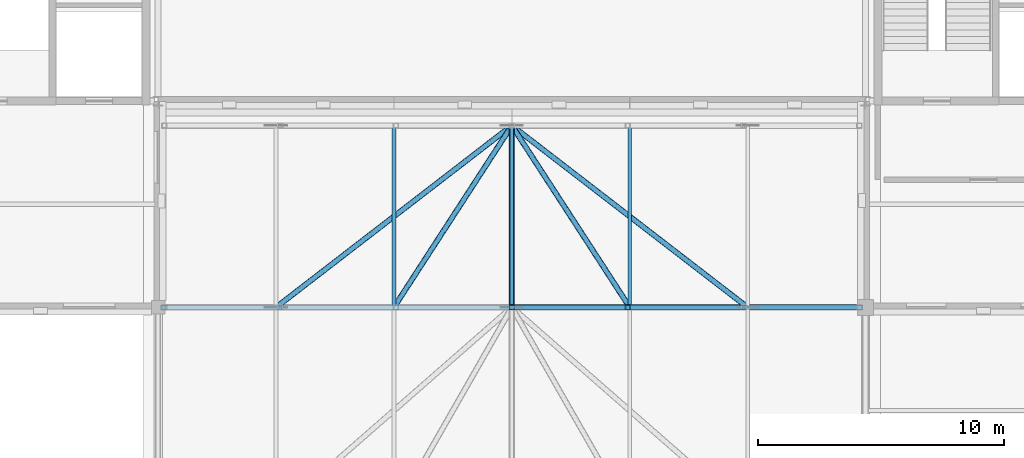
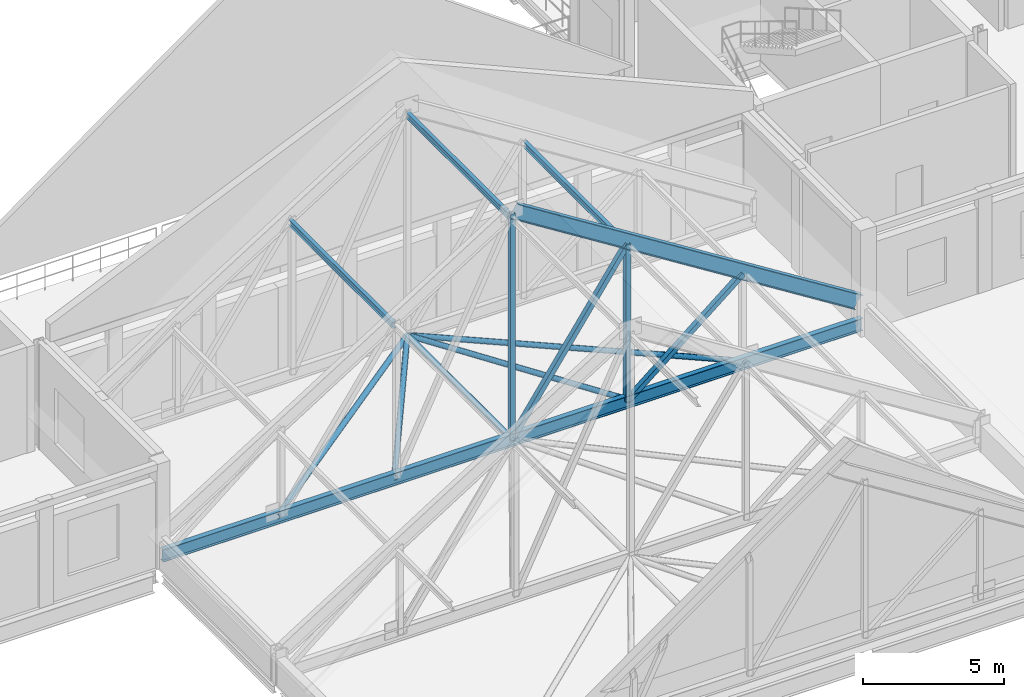
# One storey, part 7 of 26: 9 members, 5 beams.
"""IFC4 building model written with IfcOpenShell, lengths in metres."""

import ifcopenshell
import ifcopenshell.guid

model = None  # the IFC model being written
_history = None  # IfcOwnerHistory: only IFC2X3 demands one
_inside = {}  # id of a spatial element -> (the spatial element, [elements in it])
_under = {}  # id of a project, library or spatial element -> (it, [spatial elements below it])
_declared = {}  # id of a project -> (the project, [libraries it declares])
_typed = {}  # id of a type object -> (the type object, [elements of that type])
_made_of = {}  # id of a material, layer set ... -> (it, [elements and type objects made of it])


def new_model(schema):
    """Start an empty IFC model of exactly this schema.

    Asked for "IFC4X3", IfcOpenShell would pick the latest addendum, in which some entities
    have other attributes; the version numbers below select the first issue.
    IFC2X3 requires an IfcOwnerHistory on every rooted entity: one is made here for all.
    """
    global model, _history
    if schema == "IFC4X3":
        model = ifcopenshell.file(schema_version=(4, 3, 0, 0))
    else:
        model = ifcopenshell.file(schema=schema)
    _inside.clear()
    _under.clear()
    _declared.clear()
    _typed.clear()
    _made_of.clear()
    _history = None
    if model.schema == "IFC2X3":
        org = make("IfcOrganization", Name="unknown")
        user = make(
            "IfcPersonAndOrganization",
            ThePerson=make("IfcPerson", FamilyName="unknown"),
            TheOrganization=org,
        )
        app = make(
            "IfcApplication",
            ApplicationDeveloper=org,
            Version="unknown",
            ApplicationFullName="unknown",
            ApplicationIdentifier="unknown",
        )
        _history = make(
            "IfcOwnerHistory",
            OwningUser=user,
            OwningApplication=app,
            ChangeAction="ADDED",
            CreationDate=0,
        )
    return model


def make(cls, **values):
    """One entity of the class cls with the attributes given. An attribute that is None is left unset."""
    return model.create_entity(
        cls, **{name: value for name, value in values.items() if value is not None}
    )


def rooted(cls, **values):
    """An entity with a GlobalId (a new one), such as an element, a storey or a relation."""
    return make(cls, GlobalId=ifcopenshell.guid.new(), OwnerHistory=_history, **values)


def si_unit(unit_type, name, prefix=None):
    """IfcSIUnit, for example si_unit("LENGTHUNIT", "METRE", prefix="MILLI")."""
    return make("IfcSIUnit", UnitType=unit_type, Prefix=prefix, Name=name)


def assignment(units):
    """IfcUnitAssignment: the units of a project."""
    return None if units is None else make("IfcUnitAssignment", Units=units)


def point(xyz):
    """IfcCartesianPoint."""
    return None if xyz is None else make("IfcCartesianPoint", Coordinates=xyz)


def direction(xyz):
    """IfcDirection."""
    return None if xyz is None else make("IfcDirection", DirectionRatios=xyz)


def frame(location, z_axis=None, x_axis=None):
    """IfcAxis2Placement3D, a coordinate frame: its origin and axes. An axis left out is left unset."""
    return make(
        "IfcAxis2Placement3D",
        Location=point(location),
        Axis=direction(z_axis),
        RefDirection=direction(x_axis),
    )


def frame_2d(location, x_axis=None):
    """IfcAxis2Placement2D, a coordinate frame in the plane: its origin and x axis."""
    return make(
        "IfcAxis2Placement2D", Location=point(location), RefDirection=direction(x_axis)
    )


def origin():
    """The frame at (0, 0, 0) with its axes left unset."""
    return frame((0.0, 0.0, 0.0))


def origin_2d():
    """The frame at (0, 0) in the plane with its x axis left unset."""
    return frame_2d((0.0, 0.0))


def place(relative_to, where):
    """IfcLocalPlacement: puts the frame where relative to a parent placement (None: the world)."""
    return make(
        "IfcLocalPlacement", PlacementRelTo=relative_to, RelativePlacement=where
    )


def context(
    kind, dimensions, precision=None, world=None, true_north=None, identifier=None
):
    """IfcGeometricRepresentationContext, for example the 3D "Model" context."""
    return make(
        "IfcGeometricRepresentationContext",
        ContextIdentifier=identifier,
        ContextType=kind,
        CoordinateSpaceDimension=dimensions,
        Precision=precision,
        WorldCoordinateSystem=world,
        TrueNorth=true_north,
    )


def subcontext(parent, identifier, kind, view, scale=None):
    """IfcGeometricRepresentationSubContext, for example "Body" below "Model"."""
    return make(
        "IfcGeometricRepresentationSubContext",
        ContextIdentifier=identifier,
        ContextType=kind,
        ParentContext=parent,
        TargetScale=scale,
        TargetView=view,
    )


def project(units=None, contexts=None):
    """IfcProject with its units and contexts."""
    return rooted(
        "IfcProject",
        Name="project",
        RepresentationContexts=contexts,
        UnitsInContext=assignment(units),
    )


def spatial(cls, under=None, at=None, **own):
    """A site, building, storey or space (cls), placed at a placement, below another one or the project."""
    s = rooted(cls, ObjectPlacement=at, **own)
    if under is not None:
        _under.setdefault(under.id(), (under, []))[1].append(s)
    return s


def profile(cls, at=None, kind="AREA", **sizes):
    """A parametric profile (cls). Its sizes go by their IFC names, for example OverallWidth=200.0."""
    return make(cls, ProfileType=kind, Position=at, **sizes)


def hollow_rectangle(**sizes):
    """IfcRectangleHollowProfileDef."""
    return profile("IfcRectangleHollowProfileDef", **sizes)


def hollow_circle(**sizes):
    """IfcCircleHollowProfileDef."""
    return profile("IfcCircleHollowProfileDef", **sizes)


def i_section(**sizes):
    """IfcIShapeProfileDef."""
    return profile("IfcIShapeProfileDef", **sizes)


def extrude(swept, where, along, depth):
    """IfcExtrudedAreaSolid: the profile swept, set in the frame where, extruded along a direction by depth."""
    return make(
        "IfcExtrudedAreaSolid",
        SweptArea=swept,
        Position=where,
        ExtrudedDirection=direction(along),
        Depth=depth,
    )


def shape(context_of_items, identifier, shape_type, items):
    """IfcShapeRepresentation: the items that make up one representation, for example the "Body"."""
    return make(
        "IfcShapeRepresentation",
        ContextOfItems=context_of_items,
        RepresentationIdentifier=identifier,
        RepresentationType=shape_type,
        Items=items,
    )


def material(Name=None, Category=None):
    """IfcMaterial."""
    return make("IfcMaterial", Name=Name, Category=Category)


def material_profile(
    of_material, cross_section, Name=None, Category=None, Priority=None
):
    """IfcMaterialProfile: a cross section and its material."""
    return make(
        "IfcMaterialProfile",
        Name=Name,
        Material=of_material,
        Profile=cross_section,
        Priority=Priority,
        Category=Category,
    )


def profile_set(profiles, Name=None, composite=None):
    """IfcMaterialProfileSet."""
    return make(
        "IfcMaterialProfileSet",
        Name=Name,
        MaterialProfiles=profiles,
        CompositeProfile=composite,
    )


def made_of(thing, what):
    """Note that an element or type object is made of a material, layer set ...; save() writes the relation."""
    if what is not None:
        _made_of.setdefault(what.id(), (what, []))[1].append(thing)
    return thing


def type_object(cls, material=None, **own):
    """A type object (cls), such as IfcWallType, which elements share."""
    return made_of(rooted(cls, **own), material)


def element(
    cls,
    number,
    at=None,
    inside=None,
    cuts=None,
    type_object=None,
    material=None,
    context=None,
    identifier="Body",
    shape_type=None,
    held_by="IfcProductDefinitionShape",
    body=None,
    shapes=None,
    **own,
):
    """One element of the class cls, such as IfcWall. Its Tag is "e" and its number.

    at: its placement. inside: the storey or other place that contains it. cuts: it is an
    opening in that element (IfcRelVoidsElement). A single representation is given by context,
    identifier, shape_type and body (its items); several are given by shapes. held_by: the class
    of the entity that holds the representations. save() writes the other relations.
    """
    e = rooted(cls, Tag="e%d" % number, ObjectPlacement=at, **own)
    if body is not None:
        shapes = [shape(context, identifier, shape_type, body)]
    if shapes is not None:
        e.Representation = make(held_by, Representations=shapes)
    if inside is not None:
        _inside.setdefault(inside.id(), (inside, []))[1].append(e)
    if cuts is not None:
        rooted(
            "IfcRelVoidsElement", RelatingBuildingElement=cuts, RelatedOpeningElement=e
        )
    if type_object is not None:
        _typed.setdefault(type_object.id(), (type_object, []))[1].append(e)
    return made_of(e, material)


def aggregate(whole, parts):
    """IfcRelAggregates: a whole, such as a stair, and the parts it consists of."""
    return rooted("IfcRelAggregates", RelatingObject=whole, RelatedObjects=parts)


def save(model, path):
    """Write the relations noted so far, then the file.

    IfcRelAggregates (storeys below a building ...), IfcRelContainedInSpatialStructure (elements
    in a storey), IfcRelDefinesByType, IfcRelAssociatesMaterial and IfcRelDeclares: one each for
    every whole, place, type object, material and project.
    """
    for whole, parts in _under.values():
        aggregate(whole, parts)
    for where, things in _inside.values():
        rooted(
            "IfcRelContainedInSpatialStructure",
            RelatedElements=things,
            RelatingStructure=where,
        )
    for kind, things in _typed.values():
        rooted("IfcRelDefinesByType", RelatedObjects=things, RelatingType=kind)
    for what, things in _made_of.values():
        rooted("IfcRelAssociatesMaterial", RelatedObjects=things, RelatingMaterial=what)
    for by, libraries in _declared.values():
        rooted("IfcRelDeclares", RelatingContext=by, RelatedDefinitions=libraries)
    model.write(path)


model = new_model("IFC4")

# Units and contexts
model_context = context("Model", 3, precision=1e-05, world=origin(), true_north=direction((0.0, 1.0)))
body_context = subcontext(model_context, "Body", "Model", "MODEL_VIEW")
ifc_project = project(units=[si_unit("LENGTHUNIT", "METRE"), si_unit("AREAUNIT", "SQUARE_METRE"), si_unit("VOLUMEUNIT", "CUBIC_METRE"), si_unit("PLANEANGLEUNIT", "RADIAN"), si_unit("MASSUNIT", "GRAM", prefix="KILO")], contexts=[model_context])

# Site, building, storey
site_placement = place(None, origin())
site = spatial("IfcSite", under=ifc_project, at=site_placement, CompositionType="ELEMENT")
building_placement = place(site_placement, origin())
building = spatial("IfcBuilding", under=site, at=building_placement, Name="Lornevale Opera House", CompositionType="ELEMENT")
storey_placement = place(building_placement, frame((0.0, 0.0, 19.800048828125)))
storey = spatial("IfcBuildingStorey", under=building, at=storey_placement, Name="L05", CompositionType="ELEMENT", Elevation=19.800048828125)

# Beams
ifc_material = material(Name="Structural Steel CSA G40.21 Grade 350W (350 MPa)", Category="steel")
ifc_material_profile_1 = material_profile(ifc_material, i_section(OverallWidth=0.2099609375, OverallDepth=0.537109375, WebThickness=0.010986328125, FlangeThickness=0.017333984375, at=origin_2d()), Name="W530x101")
ifc_profile_set_1 = profile_set([ifc_material_profile_1], Name="Structural Steel CSA G40.21 Grade 350W (350 MPa)")
beam_type_1 = type_object("IfcBeamType", Name="Auditorium Truss Bottom Chord W530x101", PredefinedType="BEAM", material=ifc_profile_set_1)
beam_1_placement = place(storey_placement, frame((67.300048828125, 50.39990234375, 0.349853515625), z_axis=(1.0, 0.0, 0.0), x_axis=(0.0, 1.0, 0.0)))
element("IfcBeam", 1, at=beam_1_placement, inside=storey, type_object=beam_type_1, Name="Auditorium Truss Bottom Chord W530x101 2963", PredefinedType="BEAM", context=body_context, shape_type="SweptSolid", body=[
    extrude(i_section(OverallWidth=0.2099609375, OverallDepth=0.537109375, WebThickness=0.010986328125, FlangeThickness=0.017333984375, at=origin_2d()), origin(), (0.0, 0.0, 1.0), 28.599853515625),
])
ifc_material_profile_2 = material_profile(ifc_material, i_section(OverallWidth=0.22900390625, OverallDepth=0.612060546875, WebThickness=0.011962890625, FlangeThickness=0.01953125, at=origin_2d()), Name="W610x125")
ifc_profile_set_2 = profile_set([ifc_material_profile_2], Name="Structural Steel CSA G40.21 Grade 350W (350 MPa)")
beam_type_2 = type_object("IfcBeamType", Name="Auditorium Truss Top Chord W610x125", PredefinedType="BEAM", material=ifc_profile_set_2)
beam_2_placement = place(storey_placement, frame((81.64990234375, 50.39990234375, 10.22314453125), z_axis=(0.846355912416, 0.0, -0.532617751788), x_axis=(0.0, 1.0, 0.0)))
element("IfcBeam", 2, at=beam_2_placement, inside=storey, type_object=beam_type_2, Name="Auditorium Truss Top Chord W610x125 2965", PredefinedType="BEAM", context=body_context, shape_type="SweptSolid", body=[
    extrude(i_section(OverallWidth=0.22900390625, OverallDepth=0.612060546875, WebThickness=0.011962890625, FlangeThickness=0.01953125, at=origin_2d()), origin(), (0.0, 0.0, 1.0), 16.65966796875),
])

# Members
ifc_material_profile_3 = material_profile(ifc_material, hollow_rectangle(XDim=0.202880859375, YDim=0.202880859375, WallThickness=0.010986328125, at=origin_2d()), Name="HSS203x203x11")
ifc_profile_set_3 = profile_set([ifc_material_profile_3], Name="Structural Steel CSA G40.21 Grade 350W (350 MPa)")
member_type_1 = type_object("IfcMemberType", Name="Auditorium Truss Web HSS203x203x11", PredefinedType="STRUT", material=ifc_profile_set_3)
member_1_placement = place(storey_placement, frame((81.60009765625, 50.39990234375, 0.349853515625), z_axis=(0.0, 0.0, 1.0), x_axis=(1.0, 0.0, 0.0)))
element("IfcMember", 3, at=member_1_placement, inside=storey, type_object=member_type_1, Name="Auditorium Truss Web HSS203x203x11 0035", PredefinedType="STRUT", context=body_context, shape_type="SweptSolid", body=[
    extrude(hollow_rectangle(XDim=0.202880859375, YDim=0.202880859375, WallThickness=0.010986328125, at=origin_2d()), origin(), (0.0, 0.0, 1.0), 9.773193359375),
])
member_2_placement = place(storey_placement, frame((86.316650390625, 50.39990234375, 0.349853515625), z_axis=(0.0, 0.0, 1.0), x_axis=(1.0, 0.0, 0.0)))
element("IfcMember", 4, at=member_2_placement, inside=storey, type_object=member_type_1, Name="Auditorium Truss Web HSS203x203x11 0037", PredefinedType="STRUT", context=body_context, shape_type="SweptSolid", body=[
    extrude(hollow_rectangle(XDim=0.202880859375, YDim=0.202880859375, WallThickness=0.010986328125, at=origin_2d()), origin(), (0.0, 0.0, 1.0), 6.8154296875),
])
member_3_placement = place(storey_placement, frame((81.60009765625, 50.39990234375, 0.349853515625), z_axis=(0.56906139323, 0.0, 0.822295038739), x_axis=(0.0, 1.0, 0.0)))
element("IfcMember", 5, at=member_3_placement, inside=storey, type_object=member_type_1, Name="Auditorium Truss Web HSS203x203x11 0038", PredefinedType="STRUT", context=body_context, shape_type="SweptSolid", body=[
    extrude(hollow_rectangle(XDim=0.202880859375, YDim=0.202880859375, WallThickness=0.010986328125, at=origin_2d()), origin(), (0.0, 0.0, 1.0), 8.288330078125),
])
member_4_placement = place(storey_placement, frame((86.316650390625, 50.39990234375, 0.349853515625), z_axis=(0.774044763738, 0.0, 0.633130874093), x_axis=(0.0, 1.0, 0.0)))
element("IfcMember", 6, at=member_4_placement, inside=storey, type_object=member_type_1, Name="Auditorium Truss Web HSS203x203x11 0040", PredefinedType="STRUT", context=body_context, shape_type="SweptSolid", body=[
    extrude(hollow_rectangle(XDim=0.202880859375, YDim=0.202880859375, WallThickness=0.010986328125, at=origin_2d()), origin(), (0.0, 0.0, 1.0), 6.093505859375),
])

# Beams
ifc_material_profile_4 = material_profile(ifc_material, i_section(OverallWidth=0.14794921875, OverallDepth=0.26611328125, WebThickness=0.007568359375, FlangeThickness=0.012939453125, at=origin_2d()), Name="W250x45")
ifc_profile_set_4 = profile_set([ifc_material_profile_4], Name="Structural Steel CSA G40.21 Grade 350W (350 MPa)")
beam_type_3 = type_object("IfcBeamType", Name="Copper Roof Purlin W250x45", PredefinedType="JOIST", material=ifc_profile_set_4)
for number, where, z_axis, x_axis, name in (
    (7, (76.800048828125, 50.39990234375, 6.9453125), (0.0, 1.0, 0.0), (-1.0, 0.0, 0.0), "Copper Roof Purlin W250x45 2974"),
    (8, (81.60009765625, 50.39990234375, 9.903076171875), (0.0, 1.0, 0.0), (-1.0, 0.0, 0.0), "Copper Roof Purlin W250x45 2977"),
    (9, (86.39990234375, 50.39990234375, 6.9453125), (0.0, 1.0, 0.0), (-1.0, 0.0, 0.0), "Copper Roof Purlin W250x45 2980"),
):
    element("IfcBeam", number, at=place(storey_placement, frame(where, z_axis=z_axis, x_axis=x_axis)), inside=storey, type_object=beam_type_3, Name=name, PredefinedType="JOIST", context=body_context, shape_type="SweptSolid", body=[
        extrude(i_section(OverallWidth=0.14794921875, OverallDepth=0.26611328125, WebThickness=0.007568359375, FlangeThickness=0.012939453125, at=origin_2d()), origin(), (0.0, 0.0, 1.0), 7.400146484375),
    ])

# Members
ifc_material_profile_5 = material_profile(ifc_material, hollow_circle(Radius=0.109619140625, WallThickness=0.009521484375, at=origin_2d()), Name="HSS219x10")
ifc_profile_set_5 = profile_set([ifc_material_profile_5], Name="Structural Steel CSA G40.21 Grade 350W (350 MPa)")
member_type_2 = type_object("IfcMemberType", Name="Roof Plan Wind Brace HSS219x10", PredefinedType="BRACE", material=ifc_profile_set_5)
member_5_placement = place(storey_placement, frame((72.0, 50.39990234375, 0.349853515625), z_axis=(0.792007356638, 0.610511545371, 0.0), x_axis=(-0.610511545371, 0.792007356638, 0.0)))
element("IfcMember", 10, at=member_5_placement, inside=storey, type_object=member_type_2, Name="Roof Plan Wind Brace HSS219x10 0055", PredefinedType="BRACE", context=body_context, shape_type="SweptSolid", body=[
    extrude(hollow_circle(Radius=0.109619140625, WallThickness=0.009521484375, at=origin_2d()), origin(), (0.0, 0.0, 1.0), 12.121337890625),
])
member_6_placement = place(storey_placement, frame((76.800048828125, 50.39990234375, 0.349853515625), z_axis=(0.544187419368, 0.838963677761, 0.0), x_axis=(-0.838963677761, 0.544187419368, 0.0)))
element("IfcMember", 11, at=member_6_placement, inside=storey, type_object=member_type_2, Name="Roof Plan Wind Brace HSS219x10 0058", PredefinedType="BRACE", context=body_context, shape_type="SweptSolid", body=[
    extrude(hollow_circle(Radius=0.109619140625, WallThickness=0.009521484375, at=origin_2d()), origin(), (0.0, 0.0, 1.0), 8.820556640625),
])
member_7_placement = place(storey_placement, frame((81.60009765625, 50.39990234375, 0.349853515625), z_axis=(0.0, 1.0, 0.0), x_axis=(-1.0, 0.0, 0.0)))
element("IfcMember", 12, at=member_7_placement, inside=storey, type_object=member_type_2, Name="Roof Plan Wind Brace HSS219x10 0061", PredefinedType="BRACE", context=body_context, shape_type="SweptSolid", body=[
    extrude(hollow_circle(Radius=0.109619140625, WallThickness=0.009521484375, at=origin_2d()), origin(), (0.0, 0.0, 1.0), 7.400146484375),
])
member_8_placement = place(storey_placement, frame((86.39990234375, 50.39990234375, 0.349853515625), z_axis=(-0.544167937122, 0.83897631445, 0.0), x_axis=(-0.83897631445, -0.544167937122, 0.0)))
element("IfcMember", 13, at=member_8_placement, inside=storey, type_object=member_type_2, Name="Roof Plan Wind Brace HSS219x10 0064", PredefinedType="BRACE", context=body_context, shape_type="SweptSolid", body=[
    extrude(hollow_circle(Radius=0.109619140625, WallThickness=0.009521484375, at=origin_2d()), origin(), (0.0, 0.0, 1.0), 8.820556640625),
])
member_9_placement = place(storey_placement, frame((91.199951171875, 50.39990234375, 0.349853515625), z_axis=(-0.7919998492, 0.610521284532, 0.0), x_axis=(-0.610521284532, -0.7919998492, 0.0)))
element("IfcMember", 14, at=member_9_placement, inside=storey, type_object=member_type_2, Name="Roof Plan Wind Brace HSS219x10 0067", PredefinedType="BRACE", context=body_context, shape_type="SweptSolid", body=[
    extrude(hollow_circle(Radius=0.109619140625, WallThickness=0.009521484375, at=origin_2d()), origin(), (0.0, 0.0, 1.0), 12.12109375),
])

save(model, "model.ifc")
